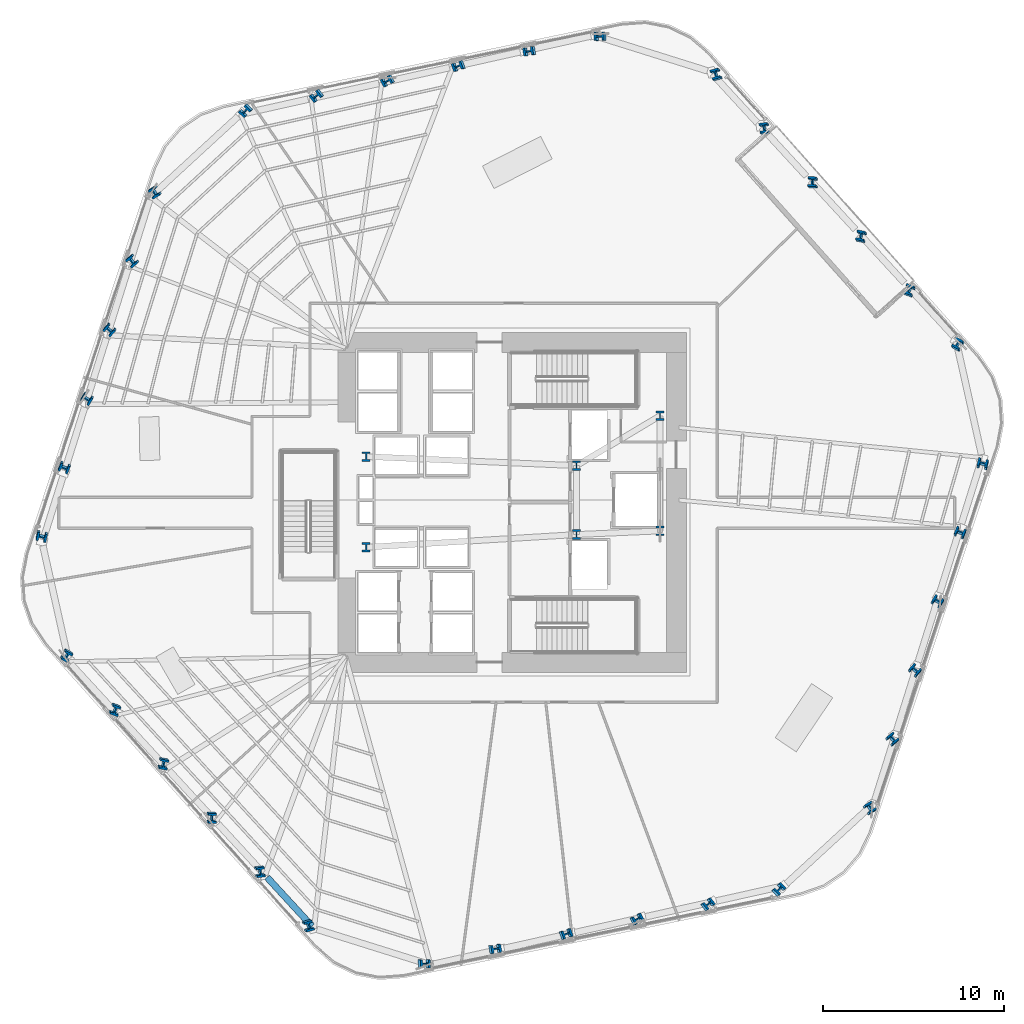
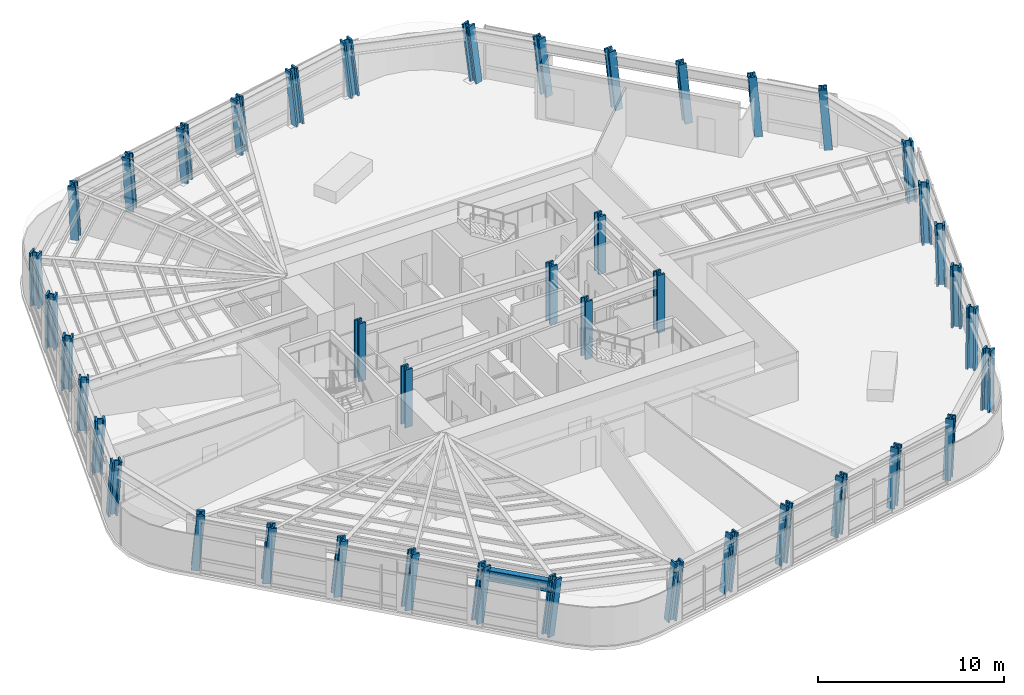
# One storey, part 1 of 17: 42 columns, 1 beam.
"""IFC4 building model written with IfcOpenShell, lengths in metres."""

from ifc_helpers import new_model, si_unit, direction, frame, origin, origin_2d, place, context, subcontext, project, spatial, i_section, extrude, material, material_profile, profile_set, type_object, element, save


model = new_model("IFC4")

# Units and contexts
model_context = context("Model", 3, precision=1e-05, world=origin(), true_north=direction((0.0, 1.0)))
body_context = subcontext(model_context, "Body", "Model", "MODEL_VIEW")
ifc_project = project(units=[si_unit("LENGTHUNIT", "METRE"), si_unit("AREAUNIT", "SQUARE_METRE"), si_unit("VOLUMEUNIT", "CUBIC_METRE"), si_unit("PLANEANGLEUNIT", "RADIAN"), si_unit("MASSUNIT", "GRAM", prefix="KILO")], contexts=[model_context])

# Site, building, storey
site_placement = place(None, origin())
site = spatial("IfcSite", under=ifc_project, at=site_placement, CompositionType="ELEMENT")
building_placement = place(site_placement, origin())
building = spatial("IfcBuilding", under=site, at=building_placement, Name="Valkerne Bourse Tower", CompositionType="ELEMENT")
storey_placement = place(building_placement, frame((0.0, 0.0, 73.39990234375)))
storey = spatial("IfcBuildingStorey", under=building, at=storey_placement, Name="L18", CompositionType="ELEMENT", Elevation=73.39990234375)

# Columns
ifc_material_1 = material(Name="Steel ASTM A913 Grade 65", Category="steel")
ifc_material_profile_1 = material_profile(ifc_material_1, i_section(OverallWidth=0.44189453125, OverallDepth=0.531005859375, WebThickness=0.06591796875, FlangeThickness=0.105712890625, FilletRadius=0.030517578125, at=origin_2d()), Name="W14X605")
ifc_profile_set_1 = profile_set([ifc_material_profile_1], Name="Steel ASTM A913 Grade 65")
column_type_1 = type_object("IfcColumnType", Name="COL-W14X605", PredefinedType="COLUMN", material=ifc_profile_set_1)
for number, where, z_axis, x_axis, name in (
    (1, (38.75, 24.39990234375, 0.005126953125), (0.0, 0.0, 1.0), (1.0, 0.0, 0.0), "L18 Core Frame Column CC-SW"),
    (2, (38.75, 29.39990234375, 0.005126953125), (0.0, 0.0, 1.0), (1.0, 0.0, 0.0), "L18 Core Frame Column CC-NW"),
    (3, (50.35009765625, 25.10009765625, 0.005126953125), (0.0, 0.0, 1.0), (1.0, 0.0, 0.0), "L18 Core Frame Column CC-CE1"),
    (4, (50.35009765625, 28.89990234375, 0.005126953125), (0.0, 0.0, 1.0), (1.0, 0.0, 0.0), "L18 Core Frame Column CC-CE2"),
    (5, (54.949951171875, 25.300048828125, 0.005126953125), (0.0, 0.0, 1.0), (1.0, 0.0, 0.0), "L18 Core Frame Column CC-SE"),
    (6, (54.949951171875, 31.64990234375, 0.005126953125), (0.0, 0.0, 1.0), (1.0, 0.0, 0.0), "L18 Core Frame Column CC-NE"),
):
    element("IfcColumn", number, at=place(storey_placement, frame(where, z_axis=z_axis, x_axis=x_axis)), inside=storey, type_object=column_type_1, Name=name, PredefinedType="COLUMN", context=body_context, shape_type="SweptSolid", body=[
        extrude(i_section(OverallWidth=0.44189453125, OverallDepth=0.531005859375, WebThickness=0.06591796875, FlangeThickness=0.105712890625, FilletRadius=0.030517578125, at=origin_2d()), origin(), (0.0, 0.0, 1.0), 3.794921875),
    ])
ifc_material_profile_2 = material_profile(ifc_material_1, i_section(OverallWidth=0.44970703125, OverallDepth=0.548583984375, WebThickness=0.072021484375, FlangeThickness=0.11474609375, FilletRadius=0.030517578125, at=origin_2d()), Name="W14X665")
ifc_profile_set_2 = profile_set([ifc_material_profile_2], Name="Steel ASTM A913 Grade 65")
column_type_2 = type_object("IfcColumnType", Name="COL-W14X665", PredefinedType="COLUMN", material=ifc_profile_set_2)
column_1_placement = place(storey_placement, frame((71.388916015625, 35.528076171875, 0.010009765625), z_axis=(-0.036014199857, 0.101237777494, 0.994210183923), x_axis=(0.875550096207, -0.476419390284, 0.080228383964)))
element("IfcColumn", 7, at=column_1_placement, inside=storey, type_object=column_type_2, Name="L18 Helical Perimeter Tube Column F1-C1", PredefinedType="COLUMN", context=body_context, shape_type="SweptSolid", body=[
    extrude(i_section(OverallWidth=0.44970703125, OverallDepth=0.548583984375, WebThickness=0.072021484375, FlangeThickness=0.11474609375, FilletRadius=0.030517578125, at=origin_2d()), origin(), (0.0, 0.0, 1.0), 3.802978515625),
])
column_2_placement = place(storey_placement, frame((68.730712890625, 38.51171875, 0.010009765625), z_axis=(-0.04830181491, 0.090244747272, 0.994747616366), x_axis=(0.93698600103, -0.340905464045, 0.076424462437)))
element("IfcColumn", 8, at=column_2_placement, inside=storey, type_object=column_type_2, Name="L18 Helical Perimeter Tube Column F1-C2", PredefinedType="COLUMN", context=body_context, shape_type="SweptSolid", body=[
    extrude(i_section(OverallWidth=0.44970703125, OverallDepth=0.548583984375, WebThickness=0.072021484375, FlangeThickness=0.11474609375, FilletRadius=0.030517578125, at=origin_2d()), origin(), (0.0, 0.0, 1.0), 3.801025390625),
])
for number, where, z_axis, x_axis, name in (
    (9, (66.072509765625, 41.4951171875, 0.010009765625), (-0.060586210296, 0.079218236792, 0.995014463253), (0.979726418732, -0.185987742892, 0.074462768764), "L18 Helical Perimeter Tube Column F1-C3"),
    (10, (63.414306640625, 44.478759765625, 0.010009765625), (-0.072793737961, 0.068103585383, 0.995019081913), (0.996988550705, -0.021777274534, 0.074428355327), "L18 Helical Perimeter Tube Column F1-C4"),
):
    element("IfcColumn", number, at=place(storey_placement, frame(where, z_axis=z_axis, x_axis=x_axis)), inside=storey, type_object=column_type_2, Name=name, PredefinedType="COLUMN", context=body_context, shape_type="SweptSolid", body=[
        extrude(i_section(OverallWidth=0.44970703125, OverallDepth=0.548583984375, WebThickness=0.072021484375, FlangeThickness=0.11474609375, FilletRadius=0.030517578125, at=origin_2d()), origin(), (0.0, 0.0, 1.0), 3.800048828125),
    ])
column_3_placement = place(storey_placement, frame((60.756103515625, 47.46240234375, 0.010009765625), z_axis=(-0.085041987295, 0.056972992999, 0.994747173138), x_axis=(0.98729831352, 0.139286934366, 0.076427678461)))
element("IfcColumn", 11, at=column_3_placement, inside=storey, type_object=column_type_2, Name="L18 Helical Perimeter Tube Column F1-C5", PredefinedType="COLUMN", context=body_context, shape_type="SweptSolid", body=[
    extrude(i_section(OverallWidth=0.44970703125, OverallDepth=0.548583984375, WebThickness=0.072021484375, FlangeThickness=0.11474609375, FilletRadius=0.030517578125, at=origin_2d()), origin(), (0.0, 0.0, 1.0), 3.801025390625),
])
for number, where, z_axis, x_axis, name in (
    (12, (58.09765625, 50.44580078125, 0.010009765625), (-0.097193047422, 0.045900283294, 0.994206555765), (0.955301235343, 0.284532835395, 0.080253444373), "L18 Helical Perimeter Tube Column F1-C6"),
    (13, (51.708984375, 52.55859375, 0.010009765625), (-0.10573079262, 0.019515580423, 0.994203269766), (-0.020522127151, 0.999551634413, -0.021803037404), "L18 Helical Perimeter Tube Column F2-C1"),
):
    element("IfcColumn", number, at=place(storey_placement, frame(where, z_axis=z_axis, x_axis=x_axis)), inside=storey, type_object=column_type_2, Name=name, PredefinedType="COLUMN", context=body_context, shape_type="SweptSolid", body=[
        extrude(i_section(OverallWidth=0.44970703125, OverallDepth=0.548583984375, WebThickness=0.072021484375, FlangeThickness=0.11474609375, FilletRadius=0.030517578125, at=origin_2d()), origin(), (0.0, 0.0, 1.0), 3.802978515625),
    ])
column_4_placement = place(storey_placement, frame((47.7958984375, 51.748291015625, 0.010009765625), z_axis=(-0.102256467885, 0.003340035383, 0.994752461138), x_axis=(-0.16964802252, 0.985286301051, -0.020747371312)))
element("IfcColumn", 14, at=column_4_placement, inside=storey, type_object=column_type_2, Name="L18 Helical Perimeter Tube Column F2-C2", PredefinedType="COLUMN", context=body_context, shape_type="SweptSolid", body=[
    extrude(i_section(OverallWidth=0.44970703125, OverallDepth=0.548583984375, WebThickness=0.072021484375, FlangeThickness=0.11474609375, FilletRadius=0.030517578125, at=origin_2d()), origin(), (0.0, 0.0, 1.0), 3.801025390625),
])
for number, where, z_axis, x_axis, name in (
    (15, (43.883056640625, 50.93798828125, 0.010009765625), (-0.098878526138, -0.012785462444, 0.995017371215), (-0.325683652951, 0.945262598946, -0.020218240118), "L18 Helical Perimeter Tube Column F2-C3"),
    (16, (39.97021484375, 50.127685546875, 0.010009765625), (-0.095409004921, -0.028976068161, 0.995016336174), (-0.477628767625, 0.878329037662, -0.020220334728), "L18 Helical Perimeter Tube Column F2-C4"),
):
    element("IfcColumn", number, at=place(storey_placement, frame(where, z_axis=z_axis, x_axis=x_axis)), inside=storey, type_object=column_type_2, Name=name, PredefinedType="COLUMN", context=body_context, shape_type="SweptSolid", body=[
        extrude(i_section(OverallWidth=0.44970703125, OverallDepth=0.548583984375, WebThickness=0.072021484375, FlangeThickness=0.11474609375, FilletRadius=0.030517578125, at=origin_2d()), origin(), (0.0, 0.0, 1.0), 3.800048828125),
    ])
column_5_placement = place(storey_placement, frame((36.05712890625, 49.3173828125, 0.010009765625), z_axis=(-0.091850871479, -0.045090427817, 0.99475136126), x_axis=(-0.612597388145, 0.79012270986, -0.02074953979)))
element("IfcColumn", 17, at=column_5_placement, inside=storey, type_object=column_type_2, Name="L18 Helical Perimeter Tube Column F2-C5", PredefinedType="COLUMN", context=body_context, shape_type="SweptSolid", body=[
    extrude(i_section(OverallWidth=0.44970703125, OverallDepth=0.548583984375, WebThickness=0.072021484375, FlangeThickness=0.11474609375, FilletRadius=0.030517578125, at=origin_2d()), origin(), (0.0, 0.0, 1.0), 3.801025390625),
])
for number, where, z_axis, x_axis, name in (
    (18, (32.14404296875, 48.507080078125, 0.010009765625), (-0.088333958842, -0.061243166232, 0.994206410312), (-0.723616770079, 0.689857705922, -0.021797147555), "L18 Helical Perimeter Tube Column F2-C6"),
    (19, (27.1201171875, 44.03076171875, 0.010009765625), (-0.069716843796, -0.081849885672, 0.99420327796), (-0.851100327811, -0.514983581614, -0.102079100056), "L18 Helical Perimeter Tube Column F3-C1"),
):
    element("IfcColumn", number, at=place(storey_placement, frame(where, z_axis=z_axis, x_axis=x_axis)), inside=storey, type_object=column_type_2, Name=name, PredefinedType="COLUMN", context=body_context, shape_type="SweptSolid", body=[
        extrude(i_section(OverallWidth=0.44970703125, OverallDepth=0.548583984375, WebThickness=0.072021484375, FlangeThickness=0.11474609375, FilletRadius=0.030517578125, at=origin_2d()), origin(), (0.0, 0.0, 1.0), 3.802978515625),
    ])
column_6_placement = place(storey_placement, frame((25.865234375, 40.23681640625, 0.010009765625), z_axis=(-0.054018267082, -0.086968767692, 0.994745424854), x_axis=(-0.765040378616, -0.63660432577, -0.097201602344)))
element("IfcColumn", 20, at=column_6_placement, inside=storey, type_object=column_type_2, Name="L18 Helical Perimeter Tube Column F3-C2", PredefinedType="COLUMN", context=body_context, shape_type="SweptSolid", body=[
    extrude(i_section(OverallWidth=0.44970703125, OverallDepth=0.548583984375, WebThickness=0.072021484375, FlangeThickness=0.11474609375, FilletRadius=0.030517578125, at=origin_2d()), origin(), (0.0, 0.0, 1.0), 3.801025390625),
])
column_7_placement = place(storey_placement, frame((24.610595703125, 36.44287109375, 0.010009765625), z_axis=(-0.038292319131, -0.092004364087, 0.995022057687), x_axis=(-0.652886959014, -0.751522876688, -0.09461492781)))
element("IfcColumn", 21, at=column_7_placement, inside=storey, type_object=column_type_2, Name="L18 Helical Perimeter Tube Column F3-C3", PredefinedType="COLUMN", context=body_context, shape_type="SweptSolid", body=[
    extrude(i_section(OverallWidth=0.44970703125, OverallDepth=0.548583984375, WebThickness=0.072021484375, FlangeThickness=0.11474609375, FilletRadius=0.030517578125, at=origin_2d()), origin(), (0.0, 0.0, 1.0), 3.7998046875),
])
column_8_placement = place(storey_placement, frame((23.35595703125, 32.64892578125, 0.010009765625), z_axis=(-0.022615542563, -0.097079786401, 0.995019624081), x_axis=(-0.520140038111, -0.848821530527, -0.094637994837)))
element("IfcColumn", 22, at=column_8_placement, inside=storey, type_object=column_type_2, Name="L18 Helical Perimeter Tube Column F3-C4", PredefinedType="COLUMN", context=body_context, shape_type="SweptSolid", body=[
    extrude(i_section(OverallWidth=0.44970703125, OverallDepth=0.548583984375, WebThickness=0.072021484375, FlangeThickness=0.11474609375, FilletRadius=0.030517578125, at=origin_2d()), origin(), (0.0, 0.0, 1.0), 3.800048828125),
])
column_9_placement = place(storey_placement, frame((22.10107421875, 28.85498046875, 0.010009765625), z_axis=(-0.006808503217, -0.102127548248, 0.9947480124), x_axis=(-0.376120167128, -0.921460855787, -0.097177729607)))
element("IfcColumn", 23, at=column_9_placement, inside=storey, type_object=column_type_2, Name="L18 Helical Perimeter Tube Column F3-C5", PredefinedType="COLUMN", context=body_context, shape_type="SweptSolid", body=[
    extrude(i_section(OverallWidth=0.44970703125, OverallDepth=0.548583984375, WebThickness=0.072021484375, FlangeThickness=0.11474609375, FilletRadius=0.030517578125, at=origin_2d()), origin(), (0.0, 0.0, 1.0), 3.801025390625),
])
for number, where, z_axis, x_axis, name in (
    (24, (20.846435546875, 25.061279296875, 0.010009765625), (0.008859054043, -0.107143197087, 0.994204130186), (-0.235142492084, -0.966586464447, -0.102071617825), "L18 Helical Perimeter Tube Column F3-C6"),
    (25, (22.2109375, 18.471923828125, 0.010009765625), (0.036014199857, -0.101237777494, 0.994210183923), (0.875550096207, -0.476419390284, -0.080228383964), "L18 Helical Perimeter Tube Column F4-C1"),
):
    element("IfcColumn", number, at=place(storey_placement, frame(where, z_axis=z_axis, x_axis=x_axis)), inside=storey, type_object=column_type_2, Name=name, PredefinedType="COLUMN", context=body_context, shape_type="SweptSolid", body=[
        extrude(i_section(OverallWidth=0.44970703125, OverallDepth=0.548583984375, WebThickness=0.072021484375, FlangeThickness=0.11474609375, FilletRadius=0.030517578125, at=origin_2d()), origin(), (0.0, 0.0, 1.0), 3.802978515625),
    ])
column_10_placement = place(storey_placement, frame((24.869140625, 15.48828125, 0.010009765625), z_axis=(0.04830181491, -0.090244747272, 0.994747616366), x_axis=(0.93698600103, -0.340905464045, -0.076424462437)))
element("IfcColumn", 26, at=column_10_placement, inside=storey, type_object=column_type_2, Name="L18 Helical Perimeter Tube Column F4-C2", PredefinedType="COLUMN", context=body_context, shape_type="SweptSolid", body=[
    extrude(i_section(OverallWidth=0.44970703125, OverallDepth=0.548583984375, WebThickness=0.072021484375, FlangeThickness=0.11474609375, FilletRadius=0.030517578125, at=origin_2d()), origin(), (0.0, 0.0, 1.0), 3.801025390625),
])
for number, where, z_axis, x_axis, name in (
    (27, (27.527587890625, 12.5048828125, 0.010009765625), (0.06052219739, -0.079218544992, 0.99501833438), (0.979632834835, -0.186491553521, -0.074433926255), "L18 Helical Perimeter Tube Column F4-C3"),
    (28, (30.185791015625, 9.521240234375, 0.010009765625), (0.072793737961, -0.068103585383, 0.995019081913), (0.996988550705, -0.021777274534, -0.074428355327), "L18 Helical Perimeter Tube Column F4-C4"),
):
    element("IfcColumn", number, at=place(storey_placement, frame(where, z_axis=z_axis, x_axis=x_axis)), inside=storey, type_object=column_type_2, Name=name, PredefinedType="COLUMN", context=body_context, shape_type="SweptSolid", body=[
        extrude(i_section(OverallWidth=0.44970703125, OverallDepth=0.548583984375, WebThickness=0.072021484375, FlangeThickness=0.11474609375, FilletRadius=0.030517578125, at=origin_2d()), origin(), (0.0, 0.0, 1.0), 3.800048828125),
    ])
column_11_placement = place(storey_placement, frame((32.843994140625, 6.53759765625, 0.010009765625), z_axis=(0.085041987295, -0.056972992999, 0.994747173138), x_axis=(0.98729831352, 0.139286934366, -0.076427678461)))
element("IfcColumn", 29, at=column_11_placement, inside=storey, type_object=column_type_2, Name="L18 Helical Perimeter Tube Column F4-C5", PredefinedType="COLUMN", context=body_context, shape_type="SweptSolid", body=[
    extrude(i_section(OverallWidth=0.44970703125, OverallDepth=0.548583984375, WebThickness=0.072021484375, FlangeThickness=0.11474609375, FilletRadius=0.030517578125, at=origin_2d()), origin(), (0.0, 0.0, 1.0), 3.801025390625),
])
for number, where, z_axis, x_axis, name in (
    (30, (35.502197265625, 3.55419921875, 0.010009765625), (0.097256636599, -0.045899996811, 0.994200350498), (0.955224484741, 0.28477831736, -0.080296287045), "L18 Helical Perimeter Tube Column F4-C6"),
    (31, (41.89111328125, 1.44140625, 0.010009765625), (0.10573079262, -0.019515580423, 0.994203269766), (-0.020522127151, 0.999551634413, 0.021803037404), "L18 Helical Perimeter Tube Column F5-C1"),
):
    element("IfcColumn", number, at=place(storey_placement, frame(where, z_axis=z_axis, x_axis=x_axis)), inside=storey, type_object=column_type_2, Name=name, PredefinedType="COLUMN", context=body_context, shape_type="SweptSolid", body=[
        extrude(i_section(OverallWidth=0.44970703125, OverallDepth=0.548583984375, WebThickness=0.072021484375, FlangeThickness=0.11474609375, FilletRadius=0.030517578125, at=origin_2d()), origin(), (0.0, 0.0, 1.0), 3.802978515625),
    ])
column_12_placement = place(storey_placement, frame((45.803955078125, 2.251708984375, 0.010009765625), z_axis=(0.102320027079, -0.003340013439, 0.994745925535), x_axis=(-0.16966687892, 0.985282782799, 0.020760253298)))
element("IfcColumn", 32, at=column_12_placement, inside=storey, type_object=column_type_2, Name="L18 Helical Perimeter Tube Column F5-C2", PredefinedType="COLUMN", context=body_context, shape_type="SweptSolid", body=[
    extrude(i_section(OverallWidth=0.44970703125, OverallDepth=0.548583984375, WebThickness=0.072021484375, FlangeThickness=0.11474609375, FilletRadius=0.030517578125, at=origin_2d()), origin(), (0.0, 0.0, 1.0), 3.801025390625),
])
column_13_placement = place(storey_placement, frame((49.716796875, 3.06201171875, 0.010009765625), z_axis=(0.098878526138, 0.012785462444, 0.995017371215), x_axis=(-0.325683652951, 0.945262598946, 0.020218240118)))
element("IfcColumn", 33, at=column_13_placement, inside=storey, type_object=column_type_2, Name="L18 Helical Perimeter Tube Column F5-C3", PredefinedType="COLUMN", context=body_context, shape_type="SweptSolid", body=[
    extrude(i_section(OverallWidth=0.44970703125, OverallDepth=0.548583984375, WebThickness=0.072021484375, FlangeThickness=0.11474609375, FilletRadius=0.030517578125, at=origin_2d()), origin(), (0.0, 0.0, 1.0), 3.800048828125),
])
column_14_placement = place(storey_placement, frame((53.6298828125, 3.872314453125, 0.010009765625), z_axis=(0.095345340694, 0.028976245723, 0.995022433512), x_axis=(-0.477794505297, 0.878239174571, 0.020207992389)))
element("IfcColumn", 34, at=column_14_placement, inside=storey, type_object=column_type_2, Name="L18 Helical Perimeter Tube Column F5-C4", PredefinedType="COLUMN", context=body_context, shape_type="SweptSolid", body=[
    extrude(i_section(OverallWidth=0.44970703125, OverallDepth=0.548583984375, WebThickness=0.072021484375, FlangeThickness=0.11474609375, FilletRadius=0.030517578125, at=origin_2d()), origin(), (0.0, 0.0, 1.0), 3.7998046875),
])
column_15_placement = place(storey_placement, frame((57.54296875, 4.6826171875, 0.010009765625), z_axis=(0.091850871479, 0.045090427817, 0.99475136126), x_axis=(-0.612597388145, 0.79012270986, 0.02074953979)))
element("IfcColumn", 35, at=column_15_placement, inside=storey, type_object=column_type_2, Name="L18 Helical Perimeter Tube Column F5-C5", PredefinedType="COLUMN", context=body_context, shape_type="SweptSolid", body=[
    extrude(i_section(OverallWidth=0.44970703125, OverallDepth=0.548583984375, WebThickness=0.072021484375, FlangeThickness=0.11474609375, FilletRadius=0.030517578125, at=origin_2d()), origin(), (0.0, 0.0, 1.0), 3.801025390625),
])
for number, where, z_axis, x_axis, name in (
    (36, (61.455810546875, 5.492919921875, 0.010009765625), (0.088397653576, 0.061242818817, 0.994200770461), (-0.723381151682, 0.690104436, 0.021807723505), "L18 Helical Perimeter Tube Column F5-C6"),
    (37, (66.47998046875, 9.96923828125, 0.010009765625), (0.069716843796, 0.081849885672, 0.99420327796), (-0.851100327811, -0.514983581614, 0.102079100056), "L18 Helical Perimeter Tube Column F6-C1"),
):
    element("IfcColumn", number, at=place(storey_placement, frame(where, z_axis=z_axis, x_axis=x_axis)), inside=storey, type_object=column_type_2, Name=name, PredefinedType="COLUMN", context=body_context, shape_type="SweptSolid", body=[
        extrude(i_section(OverallWidth=0.44970703125, OverallDepth=0.548583984375, WebThickness=0.072021484375, FlangeThickness=0.11474609375, FilletRadius=0.030517578125, at=origin_2d()), origin(), (0.0, 0.0, 1.0), 3.802978515625),
    ])
column_16_placement = place(storey_placement, frame((67.734619140625, 13.76318359375, 0.010009765625), z_axis=(0.054018267082, 0.086968767692, 0.994745424854), x_axis=(-0.765040378616, -0.63660432577, 0.097201602344)))
element("IfcColumn", 38, at=column_16_placement, inside=storey, type_object=column_type_2, Name="L18 Helical Perimeter Tube Column F6-C2", PredefinedType="COLUMN", context=body_context, shape_type="SweptSolid", body=[
    extrude(i_section(OverallWidth=0.44970703125, OverallDepth=0.548583984375, WebThickness=0.072021484375, FlangeThickness=0.11474609375, FilletRadius=0.030517578125, at=origin_2d()), origin(), (0.0, 0.0, 1.0), 3.801025390625),
])
column_17_placement = place(storey_placement, frame((68.989501953125, 17.55712890625, 0.010009765625), z_axis=(0.038292319131, 0.092004364087, 0.995022057687), x_axis=(-0.652886959014, -0.751522876688, 0.09461492781)))
element("IfcColumn", 39, at=column_17_placement, inside=storey, type_object=column_type_2, Name="L18 Helical Perimeter Tube Column F6-C3", PredefinedType="COLUMN", context=body_context, shape_type="SweptSolid", body=[
    extrude(i_section(OverallWidth=0.44970703125, OverallDepth=0.548583984375, WebThickness=0.072021484375, FlangeThickness=0.11474609375, FilletRadius=0.030517578125, at=origin_2d()), origin(), (0.0, 0.0, 1.0), 3.7998046875),
])
column_18_placement = place(storey_placement, frame((70.244140625, 21.35107421875, 0.010009765625), z_axis=(0.022615542563, 0.097079786401, 0.995019624081), x_axis=(-0.520140038111, -0.848821530527, 0.094637994837)))
element("IfcColumn", 40, at=column_18_placement, inside=storey, type_object=column_type_2, Name="L18 Helical Perimeter Tube Column F6-C4", PredefinedType="COLUMN", context=body_context, shape_type="SweptSolid", body=[
    extrude(i_section(OverallWidth=0.44970703125, OverallDepth=0.548583984375, WebThickness=0.072021484375, FlangeThickness=0.11474609375, FilletRadius=0.030517578125, at=origin_2d()), origin(), (0.0, 0.0, 1.0), 3.800048828125),
])
column_19_placement = place(storey_placement, frame((71.498779296875, 25.14501953125, 0.010009765625), z_axis=(0.006872731359, 0.102127503375, 0.994747575327), x_axis=(-0.376697012158, -0.921224764146, 0.097181762465)))
element("IfcColumn", 41, at=column_19_placement, inside=storey, type_object=column_type_2, Name="L18 Helical Perimeter Tube Column F6-C5", PredefinedType="COLUMN", context=body_context, shape_type="SweptSolid", body=[
    extrude(i_section(OverallWidth=0.44970703125, OverallDepth=0.548583984375, WebThickness=0.072021484375, FlangeThickness=0.11474609375, FilletRadius=0.030517578125, at=origin_2d()), origin(), (0.0, 0.0, 1.0), 3.801025390625),
])
column_20_placement = place(storey_placement, frame((72.753662109375, 28.938720703125, 0.010009765625), z_axis=(-0.008859054043, 0.107143197087, 0.994204130186), x_axis=(-0.235142492084, -0.966586464447, 0.102071617825)))
element("IfcColumn", 42, at=column_20_placement, inside=storey, type_object=column_type_2, Name="L18 Helical Perimeter Tube Column F6-C6", PredefinedType="COLUMN", context=body_context, shape_type="SweptSolid", body=[
    extrude(i_section(OverallWidth=0.44970703125, OverallDepth=0.548583984375, WebThickness=0.072021484375, FlangeThickness=0.11474609375, FilletRadius=0.030517578125, at=origin_2d()), origin(), (0.0, 0.0, 1.0), 3.802978515625),
])

# Beam
ifc_material_2 = material(Name="Steel ASTM A992", Category="steel")
ifc_material_profile_3 = material_profile(ifc_material_2, i_section(OverallWidth=0.358154296875, OverallDepth=0.7060546875, WebThickness=0.018310546875, FlangeThickness=0.0302734375, FilletRadius=0.02294921875, at=origin_2d()), Name="W27X178")
ifc_profile_set_3 = profile_set([ifc_material_profile_3], Name="Steel ASTM A992")
beam_type = type_object("IfcBeamType", Name="BM-W27X178", PredefinedType="SPANDREL", material=ifc_profile_set_3)
beam_placement = place(storey_placement, frame((33.2822265625, 6.19580078125, 3.1669921875), z_axis=(0.676869887197, -0.736102680206, 0.0), x_axis=(0.736102680206, 0.676869887197, 0.0)))
element("IfcBeam", 43, at=beam_placement, inside=storey, type_object=beam_type, Name="L18 Hexagonal Spandrel Ring Beam 22", PredefinedType="SPANDREL", context=body_context, shape_type="SweptSolid", body=[
    extrude(i_section(OverallWidth=0.358154296875, OverallDepth=0.7060546875, WebThickness=0.018310546875, FlangeThickness=0.0302734375, FilletRadius=0.02294921875, at=origin_2d()), origin(), (0.0, 0.0, 1.0), 3.656005859375),
])

save(model, "model.ifc")
